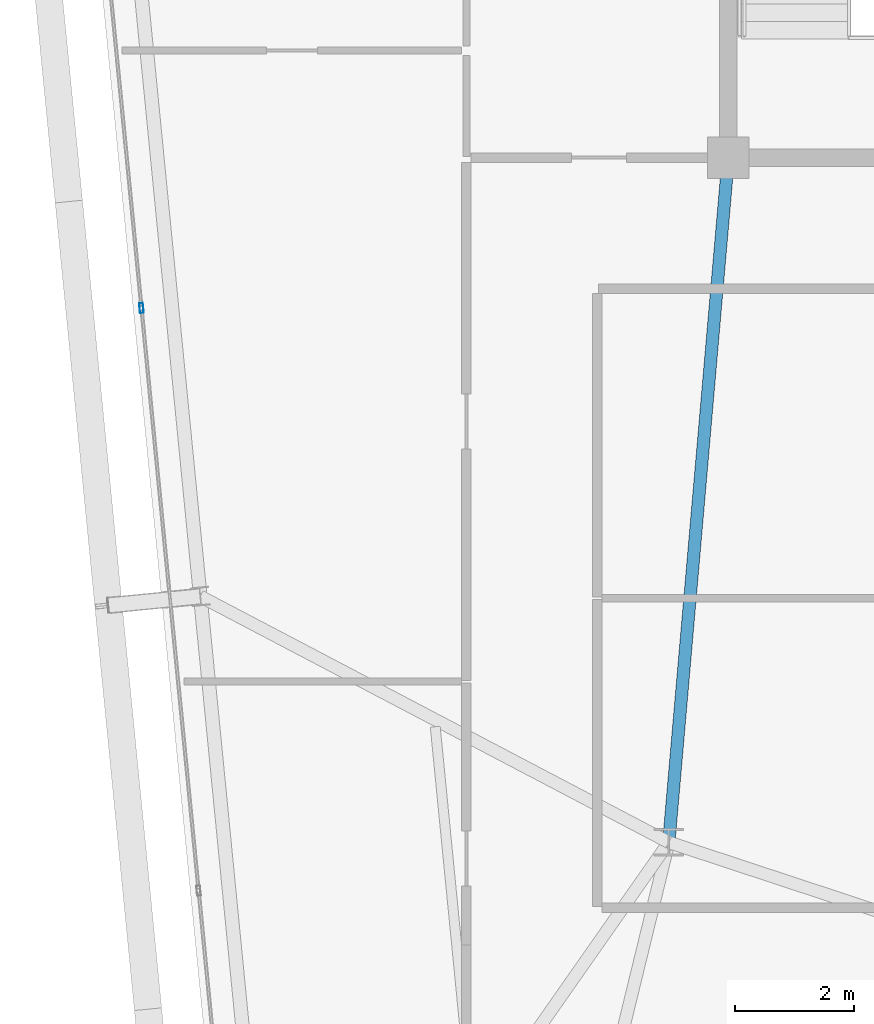
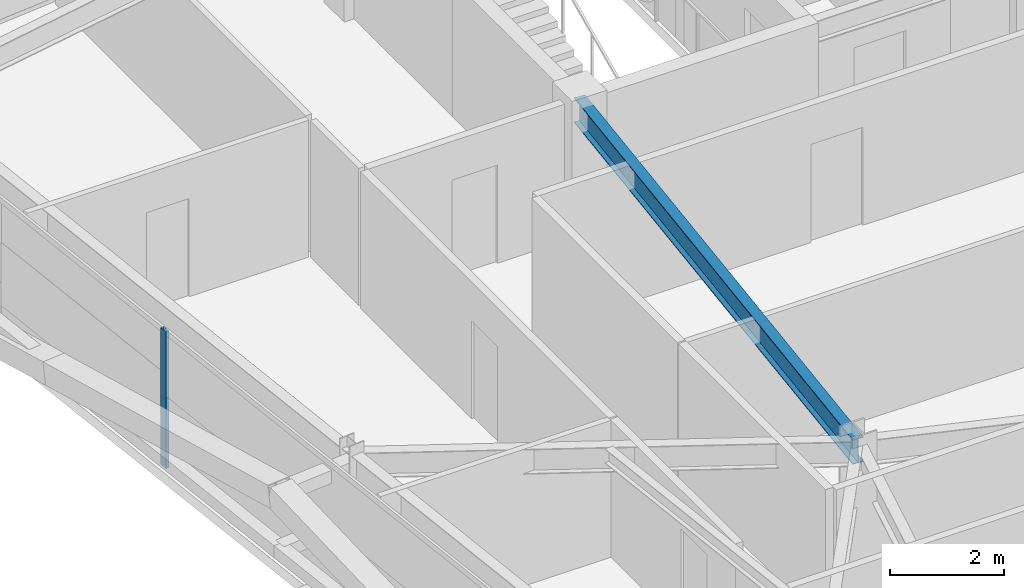
# One storey, part 13 of 47: 1 beam, 1 member, 1 element without a shape of its own.
"""IFC4 building model written with IfcOpenShell, lengths in metres."""

import ifcopenshell
import ifcopenshell.guid

model = None  # the IFC model being written
_history = None  # IfcOwnerHistory: only IFC2X3 demands one
_inside = {}  # id of a spatial element -> (the spatial element, [elements in it])
_under = {}  # id of a project, library or spatial element -> (it, [spatial elements below it])
_declared = {}  # id of a project -> (the project, [libraries it declares])
_typed = {}  # id of a type object -> (the type object, [elements of that type])
_made_of = {}  # id of a material, layer set ... -> (it, [elements and type objects made of it])


def new_model(schema):
    """Start an empty IFC model of exactly this schema.

    Asked for "IFC4X3", IfcOpenShell would pick the latest addendum, in which some entities
    have other attributes; the version numbers below select the first issue.
    IFC2X3 requires an IfcOwnerHistory on every rooted entity: one is made here for all.
    """
    global model, _history
    if schema == "IFC4X3":
        model = ifcopenshell.file(schema_version=(4, 3, 0, 0))
    else:
        model = ifcopenshell.file(schema=schema)
    _inside.clear()
    _under.clear()
    _declared.clear()
    _typed.clear()
    _made_of.clear()
    _history = None
    if model.schema == "IFC2X3":
        org = make("IfcOrganization", Name="unknown")
        user = make(
            "IfcPersonAndOrganization",
            ThePerson=make("IfcPerson", FamilyName="unknown"),
            TheOrganization=org,
        )
        app = make(
            "IfcApplication",
            ApplicationDeveloper=org,
            Version="unknown",
            ApplicationFullName="unknown",
            ApplicationIdentifier="unknown",
        )
        _history = make(
            "IfcOwnerHistory",
            OwningUser=user,
            OwningApplication=app,
            ChangeAction="ADDED",
            CreationDate=0,
        )
    return model


def make(cls, **values):
    """One entity of the class cls with the attributes given. An attribute that is None is left unset."""
    return model.create_entity(
        cls, **{name: value for name, value in values.items() if value is not None}
    )


def rooted(cls, **values):
    """An entity with a GlobalId (a new one), such as an element, a storey or a relation."""
    return make(cls, GlobalId=ifcopenshell.guid.new(), OwnerHistory=_history, **values)


def si_unit(unit_type, name, prefix=None):
    """IfcSIUnit, for example si_unit("LENGTHUNIT", "METRE", prefix="MILLI")."""
    return make("IfcSIUnit", UnitType=unit_type, Prefix=prefix, Name=name)


def assignment(units):
    """IfcUnitAssignment: the units of a project."""
    return None if units is None else make("IfcUnitAssignment", Units=units)


def point(xyz):
    """IfcCartesianPoint."""
    return None if xyz is None else make("IfcCartesianPoint", Coordinates=xyz)


def direction(xyz):
    """IfcDirection."""
    return None if xyz is None else make("IfcDirection", DirectionRatios=xyz)


def frame(location, z_axis=None, x_axis=None):
    """IfcAxis2Placement3D, a coordinate frame: its origin and axes. An axis left out is left unset."""
    return make(
        "IfcAxis2Placement3D",
        Location=point(location),
        Axis=direction(z_axis),
        RefDirection=direction(x_axis),
    )


def frame_2d(location, x_axis=None):
    """IfcAxis2Placement2D, a coordinate frame in the plane: its origin and x axis."""
    return make(
        "IfcAxis2Placement2D", Location=point(location), RefDirection=direction(x_axis)
    )


def origin():
    """The frame at (0, 0, 0) with its axes left unset."""
    return frame((0.0, 0.0, 0.0))


def origin_2d():
    """The frame at (0, 0) in the plane with its x axis left unset."""
    return frame_2d((0.0, 0.0))


def place(relative_to, where):
    """IfcLocalPlacement: puts the frame where relative to a parent placement (None: the world)."""
    return make(
        "IfcLocalPlacement", PlacementRelTo=relative_to, RelativePlacement=where
    )


def context(
    kind, dimensions, precision=None, world=None, true_north=None, identifier=None
):
    """IfcGeometricRepresentationContext, for example the 3D "Model" context."""
    return make(
        "IfcGeometricRepresentationContext",
        ContextIdentifier=identifier,
        ContextType=kind,
        CoordinateSpaceDimension=dimensions,
        Precision=precision,
        WorldCoordinateSystem=world,
        TrueNorth=true_north,
    )


def subcontext(parent, identifier, kind, view, scale=None):
    """IfcGeometricRepresentationSubContext, for example "Body" below "Model"."""
    return make(
        "IfcGeometricRepresentationSubContext",
        ContextIdentifier=identifier,
        ContextType=kind,
        ParentContext=parent,
        TargetScale=scale,
        TargetView=view,
    )


def project(units=None, contexts=None):
    """IfcProject with its units and contexts."""
    return rooted(
        "IfcProject",
        Name="project",
        RepresentationContexts=contexts,
        UnitsInContext=assignment(units),
    )


def spatial(cls, under=None, at=None, **own):
    """A site, building, storey or space (cls), placed at a placement, below another one or the project."""
    s = rooted(cls, ObjectPlacement=at, **own)
    if under is not None:
        _under.setdefault(under.id(), (under, []))[1].append(s)
    return s


def profile(cls, at=None, kind="AREA", **sizes):
    """A parametric profile (cls). Its sizes go by their IFC names, for example OverallWidth=200.0."""
    return make(cls, ProfileType=kind, Position=at, **sizes)


def hollow_rectangle(**sizes):
    """IfcRectangleHollowProfileDef."""
    return profile("IfcRectangleHollowProfileDef", **sizes)


def i_section(**sizes):
    """IfcIShapeProfileDef."""
    return profile("IfcIShapeProfileDef", **sizes)


def extrude(swept, where, along, depth):
    """IfcExtrudedAreaSolid: the profile swept, set in the frame where, extruded along a direction by depth."""
    return make(
        "IfcExtrudedAreaSolid",
        SweptArea=swept,
        Position=where,
        ExtrudedDirection=direction(along),
        Depth=depth,
    )


def shape(context_of_items, identifier, shape_type, items):
    """IfcShapeRepresentation: the items that make up one representation, for example the "Body"."""
    return make(
        "IfcShapeRepresentation",
        ContextOfItems=context_of_items,
        RepresentationIdentifier=identifier,
        RepresentationType=shape_type,
        Items=items,
    )


def source(mapping_origin, context_of_items, identifier, shape_type, items):
    """IfcRepresentationMap: a shape defined once, which mapped items show again and again."""
    return make(
        "IfcRepresentationMap",
        MappingOrigin=mapping_origin,
        MappedRepresentation=shape(context_of_items, identifier, shape_type, items),
    )


def transform(
    local_origin,
    x_axis=None,
    y_axis=None,
    z_axis=None,
    scale=None,
    scale2=None,
    scale3=None,
    uniform=True,
):
    """IfcCartesianTransformationOperator3D, or its non-uniform kind. x_axis, y_axis, z_axis: its Axis1, 2, 3."""
    if uniform:
        return make(
            "IfcCartesianTransformationOperator3D",
            Axis1=direction(x_axis),
            Axis2=direction(y_axis),
            LocalOrigin=point(local_origin),
            Scale=scale,
            Axis3=direction(z_axis),
        )
    return make(
        "IfcCartesianTransformationOperator3DnonUniform",
        Axis1=direction(x_axis),
        Axis2=direction(y_axis),
        LocalOrigin=point(local_origin),
        Scale=scale,
        Axis3=direction(z_axis),
        Scale2=scale2,
        Scale3=scale3,
    )


def mapped(mapping_source, mapping_target):
    """IfcMappedItem: shows the shape of a source again, moved by a transform."""
    return make(
        "IfcMappedItem", MappingSource=mapping_source, MappingTarget=mapping_target
    )


def material(Name=None, Category=None):
    """IfcMaterial."""
    return make("IfcMaterial", Name=Name, Category=Category)


def layer(
    of_material, thickness, ventilated=None, Name=None, Category=None, Priority=None
):
    """IfcMaterialLayer: one layer of a wall or slab, of a material (None: an air gap)."""
    return make(
        "IfcMaterialLayer",
        Material=of_material,
        LayerThickness=thickness,
        IsVentilated=ventilated,
        Name=Name,
        Category=Category,
        Priority=Priority,
    )


def layer_set(layers, Name=None):
    """IfcMaterialLayerSet."""
    return make("IfcMaterialLayerSet", MaterialLayers=layers, LayerSetName=Name)


def material_profile(
    of_material, cross_section, Name=None, Category=None, Priority=None
):
    """IfcMaterialProfile: a cross section and its material."""
    return make(
        "IfcMaterialProfile",
        Name=Name,
        Material=of_material,
        Profile=cross_section,
        Priority=Priority,
        Category=Category,
    )


def profile_set(profiles, Name=None, composite=None):
    """IfcMaterialProfileSet."""
    return make(
        "IfcMaterialProfileSet",
        Name=Name,
        MaterialProfiles=profiles,
        CompositeProfile=composite,
    )


def made_of(thing, what):
    """Note that an element or type object is made of a material, layer set ...; save() writes the relation."""
    if what is not None:
        _made_of.setdefault(what.id(), (what, []))[1].append(thing)
    return thing


def type_object(cls, material=None, **own):
    """A type object (cls), such as IfcWallType, which elements share."""
    return made_of(rooted(cls, **own), material)


def element(
    cls,
    number,
    at=None,
    inside=None,
    cuts=None,
    type_object=None,
    material=None,
    context=None,
    identifier="Body",
    shape_type=None,
    held_by="IfcProductDefinitionShape",
    body=None,
    shapes=None,
    **own,
):
    """One element of the class cls, such as IfcWall. Its Tag is "e" and its number.

    at: its placement. inside: the storey or other place that contains it. cuts: it is an
    opening in that element (IfcRelVoidsElement). A single representation is given by context,
    identifier, shape_type and body (its items); several are given by shapes. held_by: the class
    of the entity that holds the representations. save() writes the other relations.
    """
    e = rooted(cls, Tag="e%d" % number, ObjectPlacement=at, **own)
    if body is not None:
        shapes = [shape(context, identifier, shape_type, body)]
    if shapes is not None:
        e.Representation = make(held_by, Representations=shapes)
    if inside is not None:
        _inside.setdefault(inside.id(), (inside, []))[1].append(e)
    if cuts is not None:
        rooted(
            "IfcRelVoidsElement", RelatingBuildingElement=cuts, RelatedOpeningElement=e
        )
    if type_object is not None:
        _typed.setdefault(type_object.id(), (type_object, []))[1].append(e)
    return made_of(e, material)


def aggregate(whole, parts):
    """IfcRelAggregates: a whole, such as a stair, and the parts it consists of."""
    return rooted("IfcRelAggregates", RelatingObject=whole, RelatedObjects=parts)


def save(model, path):
    """Write the relations noted so far, then the file.

    IfcRelAggregates (storeys below a building ...), IfcRelContainedInSpatialStructure (elements
    in a storey), IfcRelDefinesByType, IfcRelAssociatesMaterial and IfcRelDeclares: one each for
    every whole, place, type object, material and project.
    """
    for whole, parts in _under.values():
        aggregate(whole, parts)
    for where, things in _inside.values():
        rooted(
            "IfcRelContainedInSpatialStructure",
            RelatedElements=things,
            RelatingStructure=where,
        )
    for kind, things in _typed.values():
        rooted("IfcRelDefinesByType", RelatedObjects=things, RelatingType=kind)
    for what, things in _made_of.values():
        rooted("IfcRelAssociatesMaterial", RelatedObjects=things, RelatingMaterial=what)
    for by, libraries in _declared.values():
        rooted("IfcRelDeclares", RelatingContext=by, RelatedDefinitions=libraries)
    model.write(path)


model = new_model("IFC4")

# Units and contexts
model_context = context("Model", 3, precision=1e-05, world=origin(), true_north=direction((0.0, 1.0)))
body_context = subcontext(model_context, "Body", "Model", "MODEL_VIEW")
ifc_project = project(units=[si_unit("LENGTHUNIT", "METRE"), si_unit("AREAUNIT", "SQUARE_METRE"), si_unit("VOLUMEUNIT", "CUBIC_METRE"), si_unit("PLANEANGLEUNIT", "RADIAN"), si_unit("MASSUNIT", "GRAM", prefix="KILO")], contexts=[model_context])

# Site, building, storey
site_placement = place(None, origin())
site = spatial("IfcSite", under=ifc_project, at=site_placement, CompositionType="ELEMENT")
building_placement = place(site_placement, origin())
building = spatial("IfcBuilding", under=site, at=building_placement, Name="Taldren Reach Tower", CompositionType="ELEMENT")
storey_placement = place(building_placement, frame((0.0, 0.0, 87.14990234375)))
storey = spatial("IfcBuildingStorey", under=building, at=storey_placement, Name="L26", CompositionType="ELEMENT", Elevation=87.14990234375)

# Beam
ifc_material_1 = material(Name="Steel Gr 350 (350PLUS)", Category="steel")
ifc_material_profile_1 = material_profile(ifc_material_1, i_section(OverallWidth=0.208984375, OverallDepth=0.532958984375, WebThickness=0.01025390625, FlangeThickness=0.015625, at=origin_2d()), Name="530UB92.4")
ifc_profile_set_1 = profile_set([ifc_material_profile_1], Name="Steel Gr 350 (350PLUS)")
beam_type = type_object("IfcBeamType", Name="BM-UB530A", PredefinedType="BEAM", material=ifc_profile_set_1)
shared_shape_1 = source(origin(), body_context, "Body", "SweptSolid", [
    extrude(i_section(OverallWidth=0.208984375, OverallDepth=0.532958984375, WebThickness=0.01025390625, FlangeThickness=0.015625, at=origin_2d()), origin(), (0.0, 0.0, 1.0), 11.54345703125),
])
beam_placement = place(storey_placement, frame((19.0, 24.0, 2.66357421875), z_axis=(-0.086629616365, -0.996240588196, 0.0), x_axis=(0.996240588196, -0.086629616365, 0.0)))
element("IfcBeam", 1, at=beam_placement, inside=storey, type_object=beam_type, Name="Core-spine girder L26-SP09", PredefinedType="BEAM", context=body_context, shape_type="MappedRepresentation", body=[
    mapped(shared_shape_1, transform((0.0, 0.0, 0.0), scale=1.0)),
])

# Curtain wall, member
ifc_material_2 = material(Name="Aluminium and Low-E Glass Unitised System", Category="aluminium")
ifc_layer = layer(ifc_material_2, 0.159912109375)
ifc_layer_set = layer_set([ifc_layer], Name="Aluminium and Low-E Glass Unitised System")
curtain_wall_type = type_object("IfcCurtainWallType", Name="CW-SYS-3", PredefinedType="NOTDEFINED", material=ifc_layer_set)
curtain_wall_placement = place(storey_placement, origin())
curtain_wall = element("IfcCurtainWall", 2, at=curtain_wall_placement, inside=storey, type_object=curtain_wall_type, Name="Unitised curtain wall CW-L26-W", PredefinedType="NOTDEFINED")
ifc_material_3 = material(Name="Anodised Aluminium 6063-T6", Category="aluminium")
ifc_material_profile_2 = material_profile(ifc_material_3, hollow_rectangle(XDim=0.06494140625, YDim=0.1650390625, WallThickness=0.00390625, at=origin_2d()), Name="ALU-165x65x4RHS")
ifc_profile_set_2 = profile_set([ifc_material_profile_2], Name="Anodised Aluminium 6063-T6")
member_type = type_object("IfcMemberType", Name="CW-MUL-165", PredefinedType="MULLION", material=ifc_profile_set_2)
shared_shape_2 = source(origin(), body_context, "Body", "SweptSolid", [
    extrude(hollow_rectangle(XDim=0.06494140625, YDim=0.1650390625, WallThickness=0.00390625, at=origin_2d()), origin(), (0.0, 0.0, 1.0), 2.93017578125),
])
member_placement = place(storey_placement, frame((9.14306640625, 21.474609375, 0.0), z_axis=(0.0, 0.0, 1.0), x_axis=(0.99522741555, 0.09758274098, 0.0)))
member = element("IfcMember", 3, at=member_placement, type_object=member_type, Name="CW-3 mullion 2", PredefinedType="MULLION", context=body_context, shape_type="MappedRepresentation", body=[
    mapped(shared_shape_2, transform((0.0, 0.0, 0.0), scale=1.0)),
])
aggregate(curtain_wall, [member])

save(model, "model.ifc")
